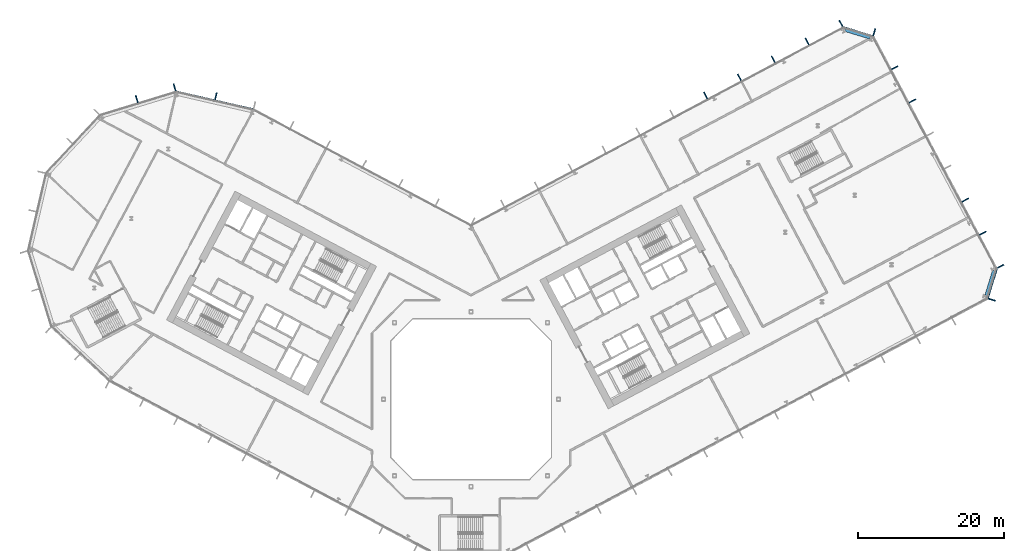
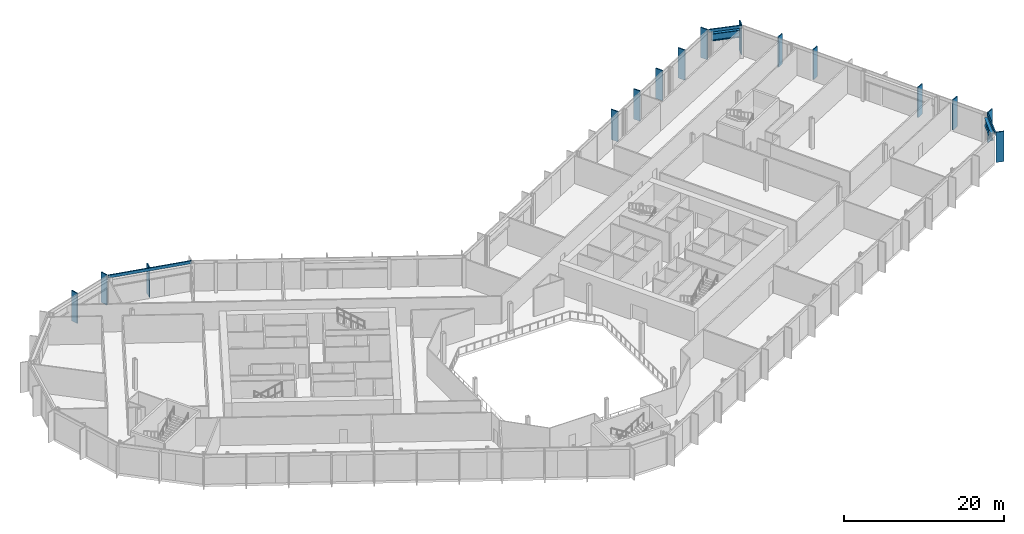
# One storey, part 9 of 31: 18 members, 2 beams, 6 elements without a shape of their own.
"""IFC4 building model written with IfcOpenShell, lengths in metres."""

from ifc_helpers import new_model, si_unit, direction, frame, origin, origin_2d, place, context, subcontext, project, spatial, rectangle, i_section, extrude, material, layer, layer_set, material_profile, profile_set, type_object, element, aggregate, save


model = new_model("IFC4")

# Units and contexts
model_context = context("Model", 3, precision=1e-05, world=origin(), true_north=direction((0.0, 1.0)))
body_context = subcontext(model_context, "Body", "Model", "MODEL_VIEW")
ifc_project = project(units=[si_unit("LENGTHUNIT", "METRE"), si_unit("AREAUNIT", "SQUARE_METRE"), si_unit("VOLUMEUNIT", "CUBIC_METRE"), si_unit("PLANEANGLEUNIT", "RADIAN"), si_unit("MASSUNIT", "GRAM", prefix="KILO")], contexts=[model_context])

# Site, building, storey
site_placement = place(None, origin())
site = spatial("IfcSite", under=ifc_project, at=site_placement, CompositionType="ELEMENT")
building_placement = place(site_placement, origin())
building = spatial("IfcBuilding", under=site, at=building_placement, Name="Cormorant Relay Tower", CompositionType="ELEMENT")
storey_placement = place(building_placement, frame((0.0, 0.0, 93.800048828125)))
storey = spatial("IfcBuildingStorey", under=building, at=storey_placement, Name="L18", CompositionType="ELEMENT", Elevation=93.800048828125)

# Curtain wall, member
ifc_material_1 = material(Name="Aluminium 6063-T6 anodised bronze", Category="aluminium")
ifc_layer = layer(ifc_material_1, 0.199951171875)
ifc_layer_set = layer_set([ifc_layer], Name="CW1 unitised bronze curtain wall with vertical fins")
curtain_wall_type = type_object("IfcCurtainWallType", Name="CW1 unitised bronze curtain wall with vertical fins", PredefinedType="NOTDEFINED", material=ifc_layer_set)
curtain_wall_1_placement = place(storey_placement, origin())
curtain_wall_1 = element("IfcCurtainWall", 1, at=curtain_wall_1_placement, inside=storey, type_object=curtain_wall_type, Name="CW1 curtain wall 3", PredefinedType="NOTDEFINED")
ifc_material_2 = material(Name="Aluminium 6063-T6 anodised bronze", Category="aluminium")
ifc_material_profile_1 = material_profile(ifc_material_2, rectangle(XDim=0.14990234375, YDim=1.0, at=origin_2d()), Name="AL 150x1000")
ifc_profile_set_1 = profile_set([ifc_material_profile_1], Name="Aluminium 6063-T6 anodised bronze")
member_type_1 = type_object("IfcMemberType", Name="CW1 bronze fin mullion 150 x 1000", PredefinedType="MULLION", material=ifc_profile_set_1)
member_1_placement = place(storey_placement, frame((71.45166015625, 13.64697265625, 0.0), z_axis=(0.0, 0.0, 1.0), x_axis=(0.292371704723, 0.956304755963, 0.0)))
member_1 = element("IfcMember", 2, at=member_1_placement, type_object=member_type_1, Name="CW1 fin 3.1", PredefinedType="MULLION", context=body_context, shape_type="SweptSolid", body=[
    extrude(rectangle(XDim=0.14990234375, YDim=1.0, at=origin_2d()), origin(), (0.0, 0.0, 1.0), 4.599853515625),
])

# Curtain wall, members
curtain_wall_2_placement = place(storey_placement, origin())
curtain_wall_2 = element("IfcCurtainWall", 3, at=curtain_wall_2_placement, inside=storey, type_object=curtain_wall_type, Name="CW1 curtain wall 4", PredefinedType="NOTDEFINED")
member_2_placement = place(storey_placement, frame((72.640869140625, 18.237548828125, 0.0), z_axis=(0.0, 0.0, 1.0), x_axis=(-0.469471562786, 0.882947592859, 0.0)))
member_2 = element("IfcMember", 4, at=member_2_placement, type_object=member_type_1, Name="CW1 fin 4.1", PredefinedType="MULLION", context=body_context, shape_type="SweptSolid", body=[
    extrude(rectangle(XDim=0.14990234375, YDim=1.0, at=origin_2d()), origin(), (0.0, 0.0, 1.0), 4.599853515625),
])
member_3_placement = place(storey_placement, frame((70.226318359375, 22.7783203125, 0.0), z_axis=(0.0, 0.0, 1.0), x_axis=(-0.469471562786, 0.882947592859, 0.0)))
member_3 = element("IfcMember", 5, at=member_3_placement, type_object=member_type_1, Name="CW1 fin 4.2", PredefinedType="MULLION", context=body_context, shape_type="SweptSolid", body=[
    extrude(rectangle(XDim=0.14990234375, YDim=1.0, at=origin_2d()), origin(), (0.0, 0.0, 1.0), 4.599853515625),
])
member_4_placement = place(storey_placement, frame((67.81201171875, 27.3193359375, 0.0), z_axis=(0.0, 0.0, 1.0), x_axis=(-0.469471562786, 0.882947592859, 0.0)))
member_4 = element("IfcMember", 6, at=member_4_placement, type_object=member_type_1, Name="CW1 fin 4.3", PredefinedType="MULLION", context=body_context, shape_type="SweptSolid", body=[
    extrude(rectangle(XDim=0.14990234375, YDim=1.0, at=origin_2d()), origin(), (0.0, 0.0, 1.0), 4.599853515625),
])
member_5_placement = place(storey_placement, frame((60.568603515625, 40.94189453125, 0.0), z_axis=(0.0, 0.0, 1.0), x_axis=(-0.469471562786, 0.882947592859, 0.0)))
member_5 = element("IfcMember", 7, at=member_5_placement, type_object=member_type_1, Name="CW1 fin 4.6", PredefinedType="MULLION", context=body_context, shape_type="SweptSolid", body=[
    extrude(rectangle(XDim=0.14990234375, YDim=1.0, at=origin_2d()), origin(), (0.0, 0.0, 1.0), 4.599853515625),
])
member_6_placement = place(storey_placement, frame((58.154296875, 45.48291015625, 0.0), z_axis=(0.0, 0.0, 1.0), x_axis=(-0.469471562786, 0.882947592859, 0.0)))
member_6 = element("IfcMember", 8, at=member_6_placement, type_object=member_type_1, Name="CW1 fin 4.7", PredefinedType="MULLION", context=body_context, shape_type="SweptSolid", body=[
    extrude(rectangle(XDim=0.14990234375, YDim=1.0, at=origin_2d()), origin(), (0.0, 0.0, 1.0), 4.599853515625),
])
aggregate(curtain_wall_2, [member_2, member_3, member_4, member_5, member_6])

# Curtain wall, member
curtain_wall_3_placement = place(storey_placement, origin())
curtain_wall_3 = element("IfcCurtainWall", 9, at=curtain_wall_3_placement, inside=storey, type_object=curtain_wall_type, Name="CW1 curtain wall 5", PredefinedType="NOTDEFINED")
member_7_placement = place(storey_placement, frame((55.326416015625, 50.364501953125, 0.0), z_axis=(0.0, 0.0, 1.0), x_axis=(-0.956304755963, 0.292371704723, 0.0)))
member_7 = element("IfcMember", 10, at=member_7_placement, type_object=member_type_1, Name="CW1 fin 5.1", PredefinedType="MULLION", context=body_context, shape_type="SweptSolid", body=[
    extrude(rectangle(XDim=0.14990234375, YDim=1.0, at=origin_2d()), origin(), (0.0, 0.0, 1.0), 4.599853515625),
])

# Curtain wall, members
curtain_wall_4_placement = place(storey_placement, origin())
curtain_wall_4 = element("IfcCurtainWall", 11, at=curtain_wall_4_placement, inside=storey, type_object=curtain_wall_type, Name="CW1 curtain wall 6", PredefinedType="NOTDEFINED")
member_8_placement = place(storey_placement, frame((50.73583984375, 51.553466796875, 0.0), z_axis=(0.0, 0.0, 1.0), x_axis=(-0.882947592859, -0.469471562786, 0.0)))
member_8 = element("IfcMember", 12, at=member_8_placement, type_object=member_type_1, Name="CW1 fin 6.1", PredefinedType="MULLION", context=body_context, shape_type="SweptSolid", body=[
    extrude(rectangle(XDim=0.14990234375, YDim=1.0, at=origin_2d()), origin(), (0.0, 0.0, 1.0), 4.599853515625),
])
member_9_placement = place(storey_placement, frame((46.093505859375, 49.085205078125, 0.0), z_axis=(0.0, 0.0, 1.0), x_axis=(-0.882947592859, -0.469471562786, 0.0)))
member_9 = element("IfcMember", 13, at=member_9_placement, type_object=member_type_1, Name="CW1 fin 6.2", PredefinedType="MULLION", context=body_context, shape_type="SweptSolid", body=[
    extrude(rectangle(XDim=0.14990234375, YDim=1.0, at=origin_2d()), origin(), (0.0, 0.0, 1.0), 4.599853515625),
])
member_10_placement = place(storey_placement, frame((41.451416015625, 46.616943359375, 0.0), z_axis=(0.0, 0.0, 1.0), x_axis=(-0.882947592859, -0.469471562786, 0.0)))
member_10 = element("IfcMember", 14, at=member_10_placement, type_object=member_type_1, Name="CW1 fin 6.3", PredefinedType="MULLION", context=body_context, shape_type="SweptSolid", body=[
    extrude(rectangle(XDim=0.14990234375, YDim=1.0, at=origin_2d()), origin(), (0.0, 0.0, 1.0), 4.599853515625),
])
member_11_placement = place(storey_placement, frame((36.80908203125, 44.148681640625, 0.0), z_axis=(0.0, 0.0, 1.0), x_axis=(-0.882947592859, -0.469471562786, 0.0)))
member_11 = element("IfcMember", 15, at=member_11_placement, type_object=member_type_1, Name="CW1 fin 6.4", PredefinedType="MULLION", context=body_context, shape_type="SweptSolid", body=[
    extrude(rectangle(XDim=0.14990234375, YDim=1.0, at=origin_2d()), origin(), (0.0, 0.0, 1.0), 4.599853515625),
])
member_12_placement = place(storey_placement, frame((32.1669921875, 41.68017578125, 0.0), z_axis=(0.0, 0.0, 1.0), x_axis=(-0.882947592859, -0.469471562786, 0.0)))
member_12 = element("IfcMember", 16, at=member_12_placement, type_object=member_type_1, Name="CW1 fin 6.5", PredefinedType="MULLION", context=body_context, shape_type="SweptSolid", body=[
    extrude(rectangle(XDim=0.14990234375, YDim=1.0, at=origin_2d()), origin(), (0.0, 0.0, 1.0), 4.599853515625),
])
aggregate(curtain_wall_4, [member_8, member_9, member_10, member_11, member_12])

# Curtain wall, member
curtain_wall_5_placement = place(storey_placement, origin())
curtain_wall_5 = element("IfcCurtainWall", 17, at=curtain_wall_5_placement, inside=storey, type_object=curtain_wall_type, Name="CW1 curtain wall 8", PredefinedType="NOTDEFINED")
member_13_placement = place(storey_placement, frame((-35.01220703125, 41.57275390625, 0.0), z_axis=(0.0, 0.0, 1.0), x_axis=(-0.974370064785, 0.224951054344, 0.0)))
member_13 = element("IfcMember", 18, at=member_13_placement, type_object=member_type_1, Name="CW1 fin 8.2", PredefinedType="MULLION", context=body_context, shape_type="SweptSolid", body=[
    extrude(rectangle(XDim=0.14990234375, YDim=1.0, at=origin_2d()), origin(), (0.0, 0.0, 1.0), 4.599853515625),
])

# Curtain wall, members
curtain_wall_6_placement = place(storey_placement, origin())
curtain_wall_6 = element("IfcCurtainWall", 19, at=curtain_wall_6_placement, inside=storey, type_object=curtain_wall_type, Name="CW1 curtain wall 9", PredefinedType="NOTDEFINED")
member_14_placement = place(storey_placement, frame((-40.670166015625, 42.78271484375, 0.0), z_axis=(0.0, 0.0, 1.0), x_axis=(-0.956304755963, -0.292371704723, 0.0)))
member_14 = element("IfcMember", 20, at=member_14_placement, type_object=member_type_1, Name="CW1 fin 9.1", PredefinedType="MULLION", context=body_context, shape_type="SweptSolid", body=[
    extrude(rectangle(XDim=0.14990234375, YDim=1.0, at=origin_2d()), origin(), (0.0, 0.0, 1.0), 4.599853515625),
])
member_15_placement = place(storey_placement, frame((-45.867919921875, 41.193603515625, 0.0), z_axis=(0.0, 0.0, 1.0), x_axis=(-0.956304755963, -0.292371704723, 0.0)))
member_15 = element("IfcMember", 21, at=member_15_placement, type_object=member_type_1, Name="CW1 fin 9.2", PredefinedType="MULLION", context=body_context, shape_type="SweptSolid", body=[
    extrude(rectangle(XDim=0.14990234375, YDim=1.0, at=origin_2d()), origin(), (0.0, 0.0, 1.0), 4.599853515625),
])
aggregate(curtain_wall_6, [member_14, member_15])

# Member
ifc_material_3 = material(Name="Aluminium 6063-T6 anodised bronze", Category="aluminium")
ifc_material_profile_2 = material_profile(ifc_material_3, rectangle(XDim=0.159912109375, YDim=0.449951171875, at=origin_2d()), Name="AL 160x450")
ifc_profile_set_2 = profile_set([ifc_material_profile_2], Name="Aluminium 6063-T6 anodised bronze")
member_type_2 = type_object("IfcMemberType", Name="CW1 bronze transom 160 x 450", PredefinedType="USERDEFINED", material=ifc_profile_set_2)
member_16_placement = place(storey_placement, frame((70.89697265625, 13.816650390625, 4.375), z_axis=(0.292391046905, 0.95629884225, 0.0), x_axis=(-0.95629884225, 0.292391046905, 0.0)))
member_16 = element("IfcMember", 22, at=member_16_placement, type_object=member_type_2, Name="CW1 transom 3", ObjectType="TRANSOM", PredefinedType="USERDEFINED", context=body_context, shape_type="SweptSolid", body=[
    extrude(rectangle(XDim=0.159912109375, YDim=0.449951171875, at=origin_2d()), origin(), (0.0, 0.0, 1.0), 4.242431640625),
])

aggregate(curtain_wall_1, [member_1, member_16])

member_17_placement = place(storey_placement, frame((55.15673828125, 49.809814453125, 4.375), z_axis=(-0.95629884225, 0.292391046905, 0.0), x_axis=(-0.292391046905, -0.95629884225, 0.0)))
member_17 = element("IfcMember", 23, at=member_17_placement, type_object=member_type_2, Name="CW1 transom 5", ObjectType="TRANSOM", PredefinedType="USERDEFINED", context=body_context, shape_type="SweptSolid", body=[
    extrude(rectangle(XDim=0.159912109375, YDim=0.449951171875, at=origin_2d()), origin(), (0.0, 0.0, 1.0), 4.242431640625),
])

aggregate(curtain_wall_3, [member_7, member_17])

member_18_placement = place(storey_placement, frame((-29.8466796875, 39.784912109375, 4.375), z_axis=(-0.974365070969, 0.224972683844, 0.0), x_axis=(-0.224972683844, -0.974365070969, 0.0)))
member_18 = element("IfcMember", 24, at=member_18_placement, type_object=member_type_2, Name="CW1 transom 8", ObjectType="TRANSOM", PredefinedType="USERDEFINED", context=body_context, shape_type="SweptSolid", body=[
    extrude(rectangle(XDim=0.159912109375, YDim=0.449951171875, at=origin_2d()), origin(), (0.0, 0.0, 1.0), 10.870361328125),
])

aggregate(curtain_wall_5, [member_13, member_18])

# Beams
ifc_material_4 = material(Name="Steel ASTM A992 (Fy 345 MPa)", Category="steel")
ifc_material_profile_3 = material_profile(ifc_material_4, i_section(OverallWidth=0.40380859375, OverallDepth=1.11767578125, WebThickness=0.026123046875, FlangeThickness=0.044921875, FilletRadius=0.02001953125, at=origin_2d()), Name="W1100x499")
ifc_profile_set_3 = profile_set([ifc_material_profile_3], Name="Steel ASTM A992 (Fy 345 MPa)")
beam_type = type_object("IfcBeamType", Name="Spandrel W1100x499", PredefinedType="SPANDREL", material=ifc_profile_set_3)
for number, where, z_axis, x_axis, name in (
    (25, (70.6943359375, 14.255126953125, 3.64111328125), (0.292423449705, 0.956288934403, 0.0), (-0.956288934403, 0.292423449705, 0.0), "Spandrel beam L18-003"),
    (26, (54.718017578125, 49.607421875, 3.64111328125), (-0.956308047674, 0.292360937806, 0.0), (-0.292360937806, -0.956308047674, 0.0), "Spandrel beam L18-005"),
):
    element("IfcBeam", number, at=place(storey_placement, frame(where, z_axis=z_axis, x_axis=x_axis)), inside=storey, type_object=beam_type, Name=name, PredefinedType="SPANDREL", context=body_context, shape_type="SweptSolid", body=[
        extrude(i_section(OverallWidth=0.40380859375, OverallDepth=1.11767578125, WebThickness=0.026123046875, FlangeThickness=0.044921875, FilletRadius=0.02001953125, at=origin_2d()), origin(), (0.0, 0.0, 1.0), 3.571533203125),
    ])

save(model, "model.ifc")
